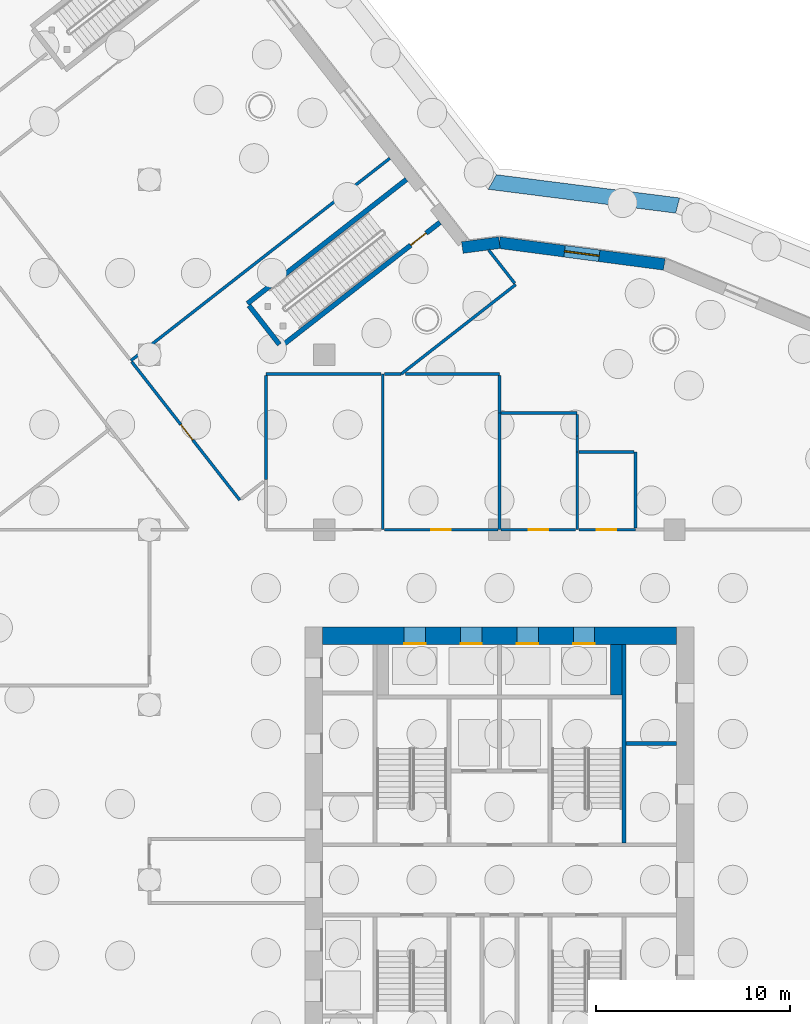
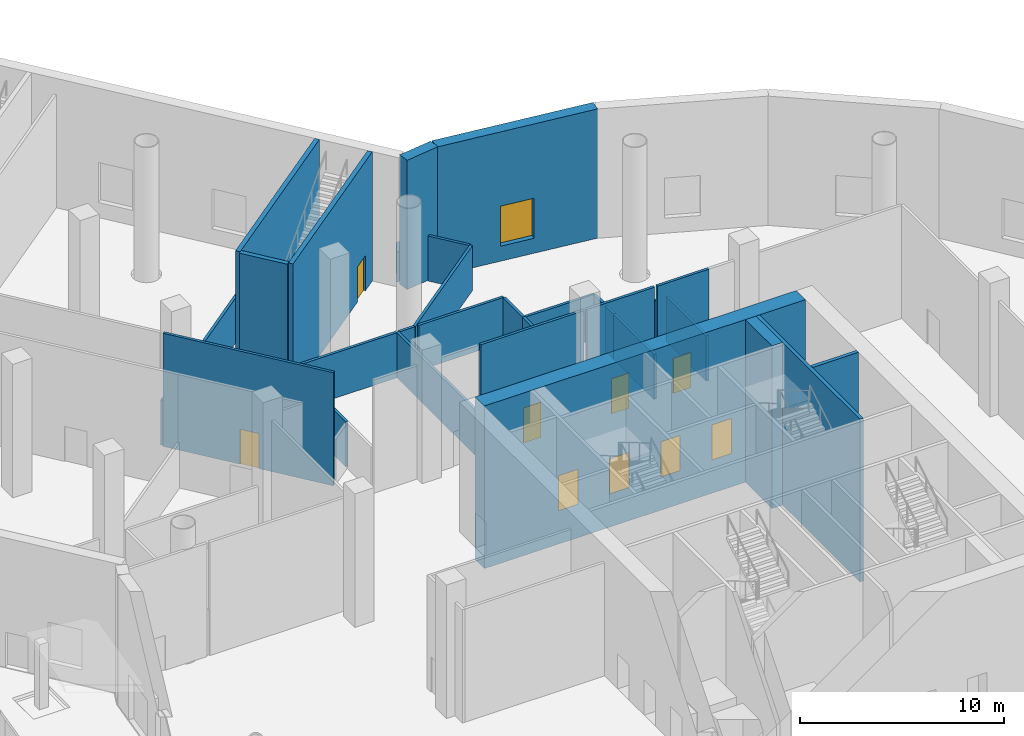
# One storey, part 17 of 34: 30 walls, 9 doors, 1 window, 10 openings.
"""IFC4 building model written with IfcOpenShell, lengths in metres."""

from ifc_helpers import new_model, si_unit, direction, frame, frame_2d, origin, place, context, subcontext, project, spatial, polyline, rectangle, outline, extrude, material, layer, layer_set, type_object, element, fill, save


model = new_model("IFC4")

# Units and contexts
model_context = context("Model", 3, precision=1e-05, world=origin(), true_north=direction((0.0, 1.0)))
body_context = subcontext(model_context, "Body", "Model", "MODEL_VIEW")
ifc_project = project(units=[si_unit("LENGTHUNIT", "METRE"), si_unit("AREAUNIT", "SQUARE_METRE"), si_unit("VOLUMEUNIT", "CUBIC_METRE"), si_unit("PLANEANGLEUNIT", "RADIAN"), si_unit("MASSUNIT", "GRAM", prefix="KILO")], contexts=[model_context])

# Site, building, storey
site_placement = place(None, origin())
site = spatial("IfcSite", under=ifc_project, at=site_placement, CompositionType="ELEMENT")
building_placement = place(site_placement, origin())
building = spatial("IfcBuilding", under=site, at=building_placement, Name="Tarsis Ring Headquarters", CompositionType="ELEMENT")
storey_placement = place(building_placement, origin())
storey = spatial("IfcBuildingStorey", under=building, at=storey_placement, Name="L00", CompositionType="ELEMENT", Elevation=0.0)

# Wall
ifc_material_1 = material(Name="Blockwork", Category="masonry")
ifc_layer_1 = layer(ifc_material_1, 0.199951171875)
ifc_layer_set_1 = layer_set([ifc_layer_1], Name="Core blockwork wall 200")
wall_type_1 = type_object("IfcWallType", Name="Core blockwork wall 200", PredefinedType="PARTITIONING", material=ifc_layer_set_1)
wall_1_placement = place(storey_placement, frame((6.5, 7.0, -2.0), z_axis=(0.0, 0.0, 1.0), x_axis=(1.0, 0.0, 0.0)))
element("IfcWall", 1, at=wall_1_placement, inside=storey, type_object=wall_type_1, Name="Core partition ED6", PredefinedType="PARTITIONING", context=body_context, shape_type="SweptSolid", body=[
    extrude(rectangle(XDim=2.60009765625, YDim=0.199951171875, at=frame_2d((1.300048828125, 0.0))), origin(), (0.0, 0.0, 1.0), 9.75),
])

# Wall, openings, doors
ifc_material_2 = material(Name="Concrete C60/75", Category="concrete")
ifc_layer_2 = layer(ifc_material_2, 0.89990234375)
ifc_layer_set_2 = layer_set([ifc_layer_2], Name="Core wall 900 C60/75")
wall_type_2 = type_object("IfcWallType", Name="Core wall 900 C60/75", PredefinedType="SHEAR", material=ifc_layer_set_2)
wall_2_placement = place(storey_placement, frame((-9.10009765625, 12.550048828125, -2.0), z_axis=(0.0, 0.0, 1.0), x_axis=(1.0, 0.0, 0.0)))
wall_2 = element("IfcWall", 2, at=wall_2_placement, inside=storey, type_object=wall_type_2, Name="Core wall ON", PredefinedType="SHEAR", context=body_context, shape_type="SweptSolid", body=[
    extrude(rectangle(XDim=18.2001953125, YDim=0.89990234375, at=frame_2d((9.10009765625, 0.0))), origin(), (0.0, 0.0, 1.0), 9.75),
])
opening_1_placement = place(wall_2_placement, frame((4.199951171875, 0.0, 2.0)))
opening_1 = element("IfcOpeningElement", 3, at=opening_1_placement, cuts=wall_2, Name="Opening LD-S321", PredefinedType="OPENING", context=body_context, shape_type="SweptSolid", body=[
    extrude(rectangle(XDim=1.10009765625, YDim=2.10009765625, at=frame_2d((0.550048828125, 1.050048828125))), frame((0.0, 0.4599609375, 0.0), z_axis=(0.0, -1.0, 0.0), x_axis=(1.0, 0.0, 0.0)), (0.0, 0.0, 1.0), 0.919921875),
])
opening_2_placement = place(wall_2_placement, frame((7.10009765625, 0.0, 2.0)))
opening_2 = element("IfcOpeningElement", 4, at=opening_2_placement, cuts=wall_2, Name="Opening LD-S322", PredefinedType="OPENING", context=body_context, shape_type="SweptSolid", body=[
    extrude(rectangle(XDim=1.10009765625, YDim=2.10009765625, at=frame_2d((0.550048828125, 1.050048828125))), frame((0.0, 0.4599609375, 0.0), z_axis=(0.0, -1.0, 0.0), x_axis=(1.0, 0.0, 0.0)), (0.0, 0.0, 1.0), 0.919921875),
])
opening_3_placement = place(wall_2_placement, frame((10.0, 0.0, 2.0)))
opening_3 = element("IfcOpeningElement", 5, at=opening_3_placement, cuts=wall_2, Name="Opening LD-S323", PredefinedType="OPENING", context=body_context, shape_type="SweptSolid", body=[
    extrude(rectangle(XDim=1.10009765625, YDim=2.10009765625, at=frame_2d((0.550048828125, 1.050048828125))), frame((0.0, 0.4599609375, 0.0), z_axis=(0.0, -1.0, 0.0), x_axis=(1.0, 0.0, 0.0)), (0.0, 0.0, 1.0), 0.919921875),
])
opening_4_placement = place(wall_2_placement, frame((12.89990234375, 0.0, 2.0)))
opening_4 = element("IfcOpeningElement", 6, at=opening_4_placement, cuts=wall_2, Name="Opening LD-S324", PredefinedType="OPENING", context=body_context, shape_type="SweptSolid", body=[
    extrude(rectangle(XDim=1.10009765625, YDim=2.10009765625, at=frame_2d((0.550048828125, 1.050048828125))), frame((0.0, 0.4599609375, 0.0), z_axis=(0.0, -1.0, 0.0), x_axis=(1.0, 0.0, 0.0)), (0.0, 0.0, 1.0), 0.919921875),
])
ifc_material_3 = material(Name="Steel S355", Category="steel")
door_type_1 = type_object("IfcDoorType", Name="Landing door 1100x2100", OperationType="SLIDING_TO_LEFT", PredefinedType="DOOR", material=ifc_material_3)
door_1_placement = place(opening_1_placement, origin())
door_1 = element("IfcDoor", 7, at=door_1_placement, inside=storey, type_object=door_type_1, Name="Landing door S321 L00", OperationType="SLIDING_TO_LEFT", OverallHeight=2.10009765625, OverallWidth=1.10009765625, PredefinedType="DOOR", context=body_context, shape_type="SweptSolid", body=[
    extrude(rectangle(XDim=1.10009765625, YDim=2.10009765625, at=frame_2d((0.550048828125, 1.050048828125))), frame((0.0, -0.39990234375, 0.0), z_axis=(0.0, -1.0, 0.0), x_axis=(1.0, 0.0, 0.0)), (0.0, 0.0, 1.0), 0.050048828125),
])
fill(opening_1, door_1)
door_2_placement = place(opening_2_placement, origin())
door_2 = element("IfcDoor", 8, at=door_2_placement, inside=storey, type_object=door_type_1, Name="Landing door S322 L00", OperationType="SLIDING_TO_LEFT", OverallHeight=2.10009765625, OverallWidth=1.10009765625, PredefinedType="DOOR", context=body_context, shape_type="SweptSolid", body=[
    extrude(rectangle(XDim=1.10009765625, YDim=2.10009765625, at=frame_2d((0.550048828125, 1.050048828125))), frame((0.0, -0.39990234375, 0.0), z_axis=(0.0, -1.0, 0.0), x_axis=(1.0, 0.0, 0.0)), (0.0, 0.0, 1.0), 0.050048828125),
])
fill(opening_2, door_2)
door_3_placement = place(opening_3_placement, origin())
door_3 = element("IfcDoor", 9, at=door_3_placement, inside=storey, type_object=door_type_1, Name="Landing door S323 L00", OperationType="SLIDING_TO_LEFT", OverallHeight=2.10009765625, OverallWidth=1.10009765625, PredefinedType="DOOR", context=body_context, shape_type="SweptSolid", body=[
    extrude(rectangle(XDim=1.10009765625, YDim=2.10009765625, at=frame_2d((0.550048828125, 1.050048828125))), frame((0.0, -0.39990234375, 0.0), z_axis=(0.0, -1.0, 0.0), x_axis=(1.0, 0.0, 0.0)), (0.0, 0.0, 1.0), 0.050048828125),
])
fill(opening_3, door_3)
door_4_placement = place(opening_4_placement, origin())
door_4 = element("IfcDoor", 10, at=door_4_placement, inside=storey, type_object=door_type_1, Name="Landing door S324 L00", OperationType="SLIDING_TO_LEFT", OverallHeight=2.10009765625, OverallWidth=1.10009765625, PredefinedType="DOOR", context=body_context, shape_type="SweptSolid", body=[
    extrude(rectangle(XDim=1.10009765625, YDim=2.10009765625, at=frame_2d((0.550048828125, 1.050048828125))), frame((0.0, -0.39990234375, 0.0), z_axis=(0.0, -1.0, 0.0), x_axis=(1.0, 0.0, 0.0)), (0.0, 0.0, 1.0), 0.050048828125),
])
fill(opening_4, door_4)

# Walls
ifc_material_4 = material(Name="Concrete C40/50", Category="concrete")
ifc_layer_3 = layer(ifc_material_4, 0.800048828125)
ifc_layer_set_3 = layer_set([ifc_layer_3], Name="FD Plinth wall 800")
wall_type_3 = type_object("IfcWallType", Name="FD Plinth wall 800", PredefinedType="SOLIDWALL", material=ifc_layer_set_3)
wall_3_placement = place(storey_placement, frame((0.0, 0.0, -2.0)))
element("IfcWall", 11, at=wall_3_placement, inside=storey, type_object=wall_type_3, Name="Plinth wall 15", PredefinedType="SOLIDWALL", context=body_context, shape_type="SweptSolid", body=[
    extrude(outline(polyline([(9.265380859375, 35.05712890625), (-0.1513671875, 36.25244140625), (-0.578857421875, 35.500244140625), (9.0595703125, 34.276611328125), (9.265380859375, 35.05712890625)])), origin(), (0.0, 0.0, 1.0), 1.800048828125),
])
ifc_material_5 = material(Name="Plasterboard partition")
ifc_layer_4 = layer(ifc_material_5, 0.14990234375)
ifc_layer_set_4 = layer_set([ifc_layer_4], Name="PO-PW150")
wall_type_4 = type_object("IfcWallType", Name="PO-PW150", PredefinedType="PARTITIONING", material=ifc_layer_set_4)
wall_4_placement = place(storey_placement, frame((-5.6328125, 37.09619140625, 0.0), z_axis=(0.0, 0.0, 1.0), x_axis=(-0.788007728406, -0.615665347386, 0.0)))
element("IfcWall", 12, at=wall_4_placement, inside=storey, type_object=wall_type_4, Name="L00 partition wall 4", PredefinedType="PARTITIONING", context=body_context, shape_type="SweptSolid", body=[
    extrude(rectangle(XDim=16.900146484375, YDim=0.14990234375, at=frame_2d((8.4501953125, 0.0))), origin(), (0.0, 0.0, 1.0), 2.699951171875),
])
wall_5_placement = place(storey_placement, frame((-6.0, 18.0, 0.0), z_axis=(0.0, 0.0, 1.0), x_axis=(0.0, 1.0, 0.0)))
element("IfcWall", 13, at=wall_5_placement, inside=storey, type_object=wall_type_4, Name="L00 partition wall 32", PredefinedType="PARTITIONING", context=body_context, shape_type="SweptSolid", body=[
    extrude(rectangle(XDim=8.0, YDim=0.14990234375, at=frame_2d((4.0, 0.0))), origin(), (0.0, 0.0, 1.0), 2.699951171875),
])
wall_6_placement = place(storey_placement, frame((0.83740234375, 30.602783203125, 0.0), z_axis=(0.0, 0.0, 1.0), x_axis=(-0.788026354001, -0.61564150721, 0.0)))
element("IfcWall", 14, at=wall_6_placement, inside=storey, type_object=wall_type_4, Name="L00 partition wall 42", PredefinedType="PARTITIONING", context=body_context, shape_type="SweptSolid", body=[
    extrude(rectangle(XDim=7.476318359375, YDim=0.14990234375, at=frame_2d((3.73828125, 0.0))), origin(), (0.0, 0.0, 1.0), 2.699951171875),
])
wall_7_placement = place(storey_placement, frame((-6.080078125, 26.0, 0.0), z_axis=(0.0, 0.0, 1.0), x_axis=(-1.0, 0.0, 0.0)))
element("IfcWall", 15, at=wall_7_placement, inside=storey, type_object=wall_type_4, Name="L00 partition wall 55", PredefinedType="PARTITIONING", context=body_context, shape_type="SweptSolid", body=[
    extrude(rectangle(XDim=5.919921875, YDim=0.14990234375, at=frame_2d((2.9599609375, 0.0))), origin(), (0.0, 0.0, 1.0), 2.699951171875),
])
wall_8_placement = place(storey_placement, frame((0.0, 18.0, 0.0), z_axis=(0.0, 0.0, 1.0), x_axis=(0.0, 1.0, 0.0)))
element("IfcWall", 16, at=wall_8_placement, inside=storey, type_object=wall_type_4, Name="L00 partition wall 57", PredefinedType="PARTITIONING", context=body_context, shape_type="SweptSolid", body=[
    extrude(rectangle(XDim=6.0, YDim=0.14990234375, at=frame_2d((3.0, 0.0))), origin(), (0.0, 0.0, 1.0), 2.699951171875),
])
wall_9_placement = place(storey_placement, frame((-12.0, 25.919921875, 0.0), z_axis=(0.0, 0.0, 1.0), x_axis=(0.0, -1.0, 0.0)))
element("IfcWall", 17, at=wall_9_placement, inside=storey, type_object=wall_type_4, Name="L00 partition wall 63", PredefinedType="PARTITIONING", context=body_context, shape_type="SweptSolid", body=[
    extrude(rectangle(XDim=5.346435546875, YDim=0.14990234375, at=frame_2d((2.67333984375, 0.0))), origin(), (0.0, 0.0, 1.0), 2.699951171875),
])
wall_10_placement = place(storey_placement, frame((-0.001953125, 26.0, 0.0), z_axis=(0.0, 0.0, 1.0), x_axis=(-1.0, 0.0, 0.0)))
element("IfcWall", 18, at=wall_10_placement, inside=storey, type_object=wall_type_4, Name="L00 partition wall 66", PredefinedType="PARTITIONING", context=body_context, shape_type="SweptSolid", body=[
    extrude(rectangle(XDim=4.832275390625, YDim=0.14990234375, at=frame_2d((2.416015625, 0.0))), origin(), (0.0, 0.0, 1.0), 2.699951171875),
])
wall_11_placement = place(storey_placement, frame((4.0, 18.0, 0.0), z_axis=(0.0, 0.0, 1.0), x_axis=(0.0, 1.0, 0.0)))
element("IfcWall", 19, at=wall_11_placement, inside=storey, type_object=wall_type_4, Name="L00 partition wall 71", PredefinedType="PARTITIONING", context=body_context, shape_type="SweptSolid", body=[
    extrude(rectangle(XDim=4.0, YDim=0.14990234375, at=frame_2d((2.0, 0.0))), origin(), (0.0, 0.0, 1.0), 2.699951171875),
])
wall_12_placement = place(storey_placement, frame((7.0, 18.080078125, 0.0), z_axis=(0.0, 0.0, 1.0), x_axis=(0.0, 1.0, 0.0)))
element("IfcWall", 20, at=wall_12_placement, inside=storey, type_object=wall_type_4, Name="L00 partition wall 72", PredefinedType="PARTITIONING", context=body_context, shape_type="SweptSolid", body=[
    extrude(rectangle(XDim=3.919921875, YDim=0.14990234375, at=frame_2d((1.9599609375, 0.0))), origin(), (0.0, 0.0, 1.0), 2.699951171875),
])
wall_13_placement = place(storey_placement, frame((0.080078125, 24.0, 0.0), z_axis=(0.0, 0.0, 1.0), x_axis=(1.0, 0.0, 0.0)))
element("IfcWall", 21, at=wall_13_placement, inside=storey, type_object=wall_type_4, Name="L00 partition wall 73", PredefinedType="PARTITIONING", context=body_context, shape_type="SweptSolid", body=[
    extrude(rectangle(XDim=3.91796875, YDim=0.14990234375, at=frame_2d((1.958984375, 0.0))), origin(), (0.0, 0.0, 1.0), 2.699951171875),
])
wall_14_placement = place(storey_placement, frame((6.919921875, 22.0, 0.0), z_axis=(0.0, 0.0, 1.0), x_axis=(-1.0, 0.0, 0.0)))
element("IfcWall", 22, at=wall_14_placement, inside=storey, type_object=wall_type_4, Name="L00 partition wall 78", PredefinedType="PARTITIONING", context=body_context, shape_type="SweptSolid", body=[
    extrude(rectangle(XDim=2.83984375, YDim=0.14990234375, at=frame_2d((1.419921875, 0.0))), origin(), (0.0, 0.0, 1.0), 2.699951171875),
])
wall_15_placement = place(storey_placement, frame((0.787353515625, 30.66552734375, 0.0), z_axis=(0.0, 0.0, 1.0), x_axis=(-0.615661438752, 0.788010782181, 0.0)))
element("IfcWall", 23, at=wall_15_placement, inside=storey, type_object=wall_type_4, Name="L00 partition wall 87", PredefinedType="PARTITIONING", context=body_context, shape_type="SweptSolid", body=[
    extrude(rectangle(XDim=2.1787109375, YDim=0.14990234375, at=frame_2d((1.08935546875, 0.0))), origin(), (0.0, 0.0, 1.0), 2.699951171875),
])
wall_16_placement = place(storey_placement, frame((0.0, 24.0, 0.0), z_axis=(0.0, 0.0, 1.0), x_axis=(0.0, 1.0, 0.0)))
element("IfcWall", 24, at=wall_16_placement, inside=storey, type_object=wall_type_4, Name="L00 partition wall 89", PredefinedType="PARTITIONING", context=body_context, shape_type="SweptSolid", body=[
    extrude(rectangle(XDim=1.91796875, YDim=0.14990234375, at=frame_2d((0.958984375, 0.0))), origin(), (0.0, 0.0, 1.0), 2.699951171875),
])
wall_17_placement = place(storey_placement, frame((4.0, 22.80615234375, 0.0), z_axis=(0.0, 0.0, 1.0), x_axis=(0.0, 1.0, 0.0)))
element("IfcWall", 25, at=wall_17_placement, inside=storey, type_object=wall_type_4, Name="L00 partition wall 96", PredefinedType="PARTITIONING", context=body_context, shape_type="SweptSolid", body=[
    extrude(rectangle(XDim=1.11181640625, YDim=0.14990234375, at=frame_2d((0.555908203125, 0.0))), origin(), (0.0, 0.0, 1.0), 2.699951171875),
])
wall_18_placement = place(storey_placement, frame((-5.05419921875, 26.0, 0.0), z_axis=(0.0, 0.0, 1.0), x_axis=(-1.0, 0.0, 0.0)))
element("IfcWall", 26, at=wall_18_placement, inside=storey, type_object=wall_type_4, Name="L00 partition wall 98", PredefinedType="PARTITIONING", context=body_context, shape_type="SweptSolid", body=[
    extrude(rectangle(XDim=0.86572265625, YDim=0.14990234375, at=frame_2d((0.432861328125, 0.0))), origin(), (0.0, 0.0, 1.0), 2.699951171875),
])
wall_19_placement = place(storey_placement, frame((4.0, 22.0, 0.0), z_axis=(0.0, 0.0, 1.0), x_axis=(0.0, 1.0, 0.0)))
element("IfcWall", 27, at=wall_19_placement, inside=storey, type_object=wall_type_4, Name="L00 partition wall 100", PredefinedType="PARTITIONING", context=body_context, shape_type="SweptSolid", body=[
    extrude(rectangle(XDim=0.80615234375, YDim=0.14990234375, at=frame_2d((0.403076171875, 0.0))), origin(), (0.0, 0.0, 1.0), 2.699951171875),
])

# Wall, opening, door
ifc_layer_5 = layer(ifc_material_5, 0.14990234375)
ifc_layer_set_5 = layer_set([ifc_layer_5], Name="PO-PW150R-6783")
wall_type_5 = type_object("IfcWallType", Name="PO-PW150R-6783", PredefinedType="PARTITIONING", material=ifc_layer_set_5)
wall_20_placement = place(storey_placement, frame((-18.90087890625, 26.62841796875, 0.0), z_axis=(0.0, 0.0, 1.0), x_axis=(0.615655597301, -0.788015345987, 0.0)))
wall_20 = element("IfcWall", 28, at=wall_20_placement, inside=storey, type_object=wall_type_5, Name="L00 partition wall 28", PredefinedType="PARTITIONING", context=body_context, shape_type="SweptSolid", body=[
    extrude(rectangle(XDim=9.02001953125, YDim=0.14990234375, at=frame_2d((4.510009765625, 0.0))), origin(), (0.0, 0.0, 1.0), 6.782958984375),
])
opening_5_placement = place(wall_20_placement, frame((4.090087890625, 0.0, 0.0)))
opening_5 = element("IfcOpeningElement", 29, at=opening_5_placement, cuts=wall_20, Name="Opening PO-D1", PredefinedType="OPENING", context=body_context, shape_type="SweptSolid", body=[
    extrude(rectangle(XDim=1.0, YDim=2.10009765625, at=frame_2d((0.5, 1.050048828125))), frame((0.0, 0.0849609375, 0.0), z_axis=(0.0, -1.0, 0.0), x_axis=(1.0, 0.0, 0.0)), (0.0, 0.0, 1.0), 0.169921875),
])
ifc_material_6 = material(Name="Timber door", Category="wood")
door_type_2 = type_object("IfcDoorType", Name="PO-D1000", OperationType="NOTDEFINED", PredefinedType="DOOR", material=ifc_material_6)
door_5_placement = place(opening_5_placement, origin())
door_5 = element("IfcDoor", 30, at=door_5_placement, inside=storey, type_object=door_type_2, Name="Education room door", OperationType="SINGLE_SWING_LEFT", OverallHeight=2.10009765625, OverallWidth=1.0, PredefinedType="DOOR", context=body_context, shape_type="SweptSolid", body=[
    extrude(rectangle(XDim=1.0, YDim=2.10009765625, at=frame_2d((0.5, 1.050048828125))), frame((0.0, 0.02490234375, 0.0), z_axis=(0.0, -1.0, 0.0), x_axis=(1.0, 0.0, 0.0)), (0.0, 0.0, 1.0), 0.050048828125),
])
fill(opening_5, door_5)

wall_21_placement = place(storey_placement, frame((-5.919921875, 18.0, 0.0), z_axis=(0.0, 0.0, 1.0), x_axis=(1.0, 0.0, 0.0)))
wall_21 = element("IfcWall", 31, at=wall_21_placement, inside=storey, type_object=wall_type_5, Name="L00 partition wall 56", PredefinedType="PARTITIONING", context=body_context, shape_type="SweptSolid", body=[
    extrude(rectangle(XDim=5.83984375, YDim=0.14990234375, at=frame_2d((2.919921875, 0.0))), origin(), (0.0, 0.0, 1.0), 6.782958984375),
])
opening_6_placement = place(wall_21_placement, frame((2.419921875, 0.0, 0.0)))
opening_6 = element("IfcOpeningElement", 32, at=opening_6_placement, cuts=wall_21, Name="Opening PO-D1", PredefinedType="OPENING", context=body_context, shape_type="SweptSolid", body=[
    extrude(rectangle(XDim=1.0, YDim=2.10009765625, at=frame_2d((0.5, 1.050048828125))), frame((0.0, 0.0849609375, 0.0), z_axis=(0.0, -1.0, 0.0), x_axis=(1.0, 0.0, 0.0)), (0.0, 0.0, 1.0), 0.169921875),
])
door_6_placement = place(opening_6_placement, origin())
door_6 = element("IfcDoor", 33, at=door_6_placement, inside=storey, type_object=door_type_2, Name="Female WC door", OperationType="SINGLE_SWING_LEFT", OverallHeight=2.10009765625, OverallWidth=1.0, PredefinedType="DOOR", context=body_context, shape_type="SweptSolid", body=[
    extrude(rectangle(XDim=1.0, YDim=2.10009765625, at=frame_2d((0.5, 1.050048828125))), frame((0.0, 0.02490234375, 0.0), z_axis=(0.0, -1.0, 0.0), x_axis=(1.0, 0.0, 0.0)), (0.0, 0.0, 1.0), 0.050048828125),
])
fill(opening_6, door_6)

wall_22_placement = place(storey_placement, frame((0.080078125, 18.0, 0.0), z_axis=(0.0, 0.0, 1.0), x_axis=(1.0, 0.0, 0.0)))
wall_22 = element("IfcWall", 34, at=wall_22_placement, inside=storey, type_object=wall_type_5, Name="L00 partition wall 70", PredefinedType="PARTITIONING", context=body_context, shape_type="SweptSolid", body=[
    extrude(rectangle(XDim=3.83984375, YDim=0.14990234375, at=frame_2d((1.919921875, 0.0))), origin(), (0.0, 0.0, 1.0), 6.782958984375),
])
opening_7_placement = place(wall_22_placement, frame((1.419921875, 0.0, 0.0)))
opening_7 = element("IfcOpeningElement", 35, at=opening_7_placement, cuts=wall_22, Name="Opening PO-D1", PredefinedType="OPENING", context=body_context, shape_type="SweptSolid", body=[
    extrude(rectangle(XDim=1.0, YDim=2.10009765625, at=frame_2d((0.5, 1.050048828125))), frame((0.0, 0.0849609375, 0.0), z_axis=(0.0, -1.0, 0.0), x_axis=(1.0, 0.0, 0.0)), (0.0, 0.0, 1.0), 0.169921875),
])
door_7_placement = place(opening_7_placement, origin())
door_7 = element("IfcDoor", 36, at=door_7_placement, inside=storey, type_object=door_type_2, Name="Accessible WC door", OperationType="SINGLE_SWING_RIGHT", OverallHeight=2.10009765625, OverallWidth=1.0, PredefinedType="DOOR", context=body_context, shape_type="SweptSolid", body=[
    extrude(rectangle(XDim=1.0, YDim=2.10009765625, at=frame_2d((0.5, 1.050048828125))), frame((0.0, 0.02490234375, 0.0), z_axis=(0.0, -1.0, 0.0), x_axis=(1.0, 0.0, 0.0)), (0.0, 0.0, 1.0), 0.050048828125),
])
fill(opening_7, door_7)

wall_23_placement = place(storey_placement, frame((4.080078125, 18.0, 0.0), z_axis=(0.0, 0.0, 1.0), x_axis=(1.0, 0.0, 0.0)))
wall_23 = element("IfcWall", 37, at=wall_23_placement, inside=storey, type_object=wall_type_5, Name="L00 partition wall 77", PredefinedType="PARTITIONING", context=body_context, shape_type="SweptSolid", body=[
    extrude(rectangle(XDim=2.919921875, YDim=0.14990234375, at=frame_2d((1.4599609375, 0.0))), origin(), (0.0, 0.0, 1.0), 6.782958984375),
])
opening_8_placement = place(wall_23_placement, frame((0.919921875, 0.0, 0.0)))
opening_8 = element("IfcOpeningElement", 38, at=opening_8_placement, cuts=wall_23, Name="Opening PO-D1", PredefinedType="OPENING", context=body_context, shape_type="SweptSolid", body=[
    extrude(rectangle(XDim=1.0, YDim=2.10009765625, at=frame_2d((0.5, 1.050048828125))), frame((0.0, 0.0849609375, 0.0), z_axis=(0.0, -1.0, 0.0), x_axis=(1.0, 0.0, 0.0)), (0.0, 0.0, 1.0), 0.169921875),
])
door_8_placement = place(opening_8_placement, origin())
door_8 = element("IfcDoor", 39, at=door_8_placement, inside=storey, type_object=door_type_2, Name="Cleaners' store door", OperationType="SINGLE_SWING_LEFT", OverallHeight=2.10009765625, OverallWidth=1.0, PredefinedType="DOOR", context=body_context, shape_type="SweptSolid", body=[
    extrude(rectangle(XDim=1.0, YDim=2.10009765625, at=frame_2d((0.5, 1.050048828125))), frame((0.0, 0.02490234375, 0.0), z_axis=(0.0, -1.0, 0.0), x_axis=(1.0, 0.0, 0.0)), (0.0, 0.0, 1.0), 0.050048828125),
])
fill(opening_8, door_8)

ifc_layer_6 = layer(ifc_material_4, 0.25)
ifc_layer_set_6 = layer_set([ifc_layer_6], Name="PO-W250")
wall_type_6 = type_object("IfcWallType", Name="PO-W250", PredefinedType="SOLIDWALL", material=ifc_layer_set_6)
wall_24_placement = place(storey_placement, frame((-3.0576171875, 33.80029296875, 0.0), z_axis=(0.0, 0.0, 1.0), x_axis=(-0.788273447376, -0.615325094696, 0.0)))
wall_24 = element("IfcWall", 40, at=wall_24_placement, inside=storey, type_object=wall_type_6, Name="L00 shaft wall 17", PredefinedType="SOLIDWALL", context=body_context, shape_type="SweptSolid", body=[
    extrude(rectangle(XDim=10.369873046875, YDim=0.25, at=frame_2d((5.18505859375, 0.0))), origin(), (0.0, 0.0, 1.0), 7.75),
])
opening_9_placement = place(wall_24_placement, frame((0.90478515625, 0.0, 0.0)))
opening_9 = element("IfcOpeningElement", 41, at=opening_9_placement, cuts=wall_24, Name="Opening PO-D3", PredefinedType="OPENING", context=body_context, shape_type="SweptSolid", body=[
    extrude(rectangle(XDim=1.0, YDim=2.10009765625, at=frame_2d((0.5, 1.050048828125))), frame((0.0, 0.135009765625, 0.0), z_axis=(0.0, -1.0, 0.0), x_axis=(1.0, 0.0, 0.0)), (0.0, 0.0, 1.0), 0.27001953125),
])
ifc_material_7 = material(Name="Steel fire door", Category="steel")
door_type_3 = type_object("IfcDoorType", Name="PO-D1000F", OperationType="SINGLE_SWING_LEFT", PredefinedType="DOOR", material=ifc_material_7)
door_9_placement = place(opening_9_placement, origin())
door_9 = element("IfcDoor", 42, at=door_9_placement, inside=storey, type_object=door_type_3, Name="Exit stair 3 door", OperationType="SINGLE_SWING_LEFT", OverallHeight=2.10009765625, OverallWidth=1.0, PredefinedType="DOOR", context=body_context, shape_type="SweptSolid", body=[
    extrude(rectangle(XDim=1.0, YDim=2.10009765625, at=frame_2d((0.5, 1.050048828125))), frame((0.0, 0.02490234375, 0.0), z_axis=(0.0, -1.0, 0.0), x_axis=(1.0, 0.0, 0.0)), (0.0, 0.0, 1.0), 0.050048828125),
])
fill(opening_9, door_9)

# Walls
wall_25_placement = place(storey_placement, frame((-12.954833984375, 29.626708984375, 0.0), z_axis=(0.0, 0.0, 1.0), x_axis=(0.788283470415, 0.615312254283, 0.0)))
element("IfcWall", 43, at=wall_25_placement, inside=storey, type_object=wall_type_6, Name="L00 shaft wall 18", PredefinedType="SOLIDWALL", context=body_context, shape_type="SweptSolid", body=[
    extrude(rectangle(XDim=10.368408203125, YDim=0.25, at=frame_2d((5.18408203125, 0.0))), origin(), (0.0, 0.0, 1.0), 7.75),
])
wall_26_placement = place(storey_placement, frame((-11.31201171875, 27.52197265625, 0.0), z_axis=(0.0, 0.0, 1.0), x_axis=(-0.615343695919, 0.788258926935, 0.0)))
element("IfcWall", 44, at=wall_26_placement, inside=storey, type_object=wall_type_6, Name="L00 shaft wall 82", PredefinedType="SOLIDWALL", context=body_context, shape_type="SweptSolid", body=[
    extrude(rectangle(XDim=2.5400390625, YDim=0.25, at=frame_2d((1.27001953125, 0.0))), origin(), (0.0, 0.0, 1.0), 7.75),
])

# Wall, opening, window
ifc_layer_7 = layer(ifc_material_2, 0.60009765625)
ifc_layer_set_7 = layer_set([ifc_layer_7], Name="PO-W600")
wall_type_7 = type_object("IfcWallType", Name="PO-W600", PredefinedType="SOLIDWALL", material=ifc_layer_set_7)
wall_27_placement = place(storey_placement, frame((8.478271484375, 31.6416015625, 0.0), z_axis=(0.0, 0.0, 1.0), x_axis=(-0.991444478179, 0.130529102837, 0.0)))
wall_27 = element("IfcWall", 45, at=wall_27_placement, inside=storey, type_object=wall_type_7, Name="L00 external wall 21", PredefinedType="SOLIDWALL", context=body_context, shape_type="SweptSolid", body=[
    extrude(rectangle(XDim=8.551513671875, YDim=0.60009765625, at=frame_2d((4.27587890625, 0.0))), origin(), (0.0, 0.0, 1.0), 7.75),
])
opening_10_placement = place(wall_27_placement, frame((3.375732421875, 0.0, 0.89990234375)))
opening_10 = element("IfcOpeningElement", 46, at=opening_10_placement, cuts=wall_27, Name="Opening PO-WN1", PredefinedType="OPENING", context=body_context, shape_type="SweptSolid", body=[
    extrude(rectangle(XDim=1.800048828125, YDim=2.39990234375, at=frame_2d((0.89990234375, 1.199951171875))), frame((0.0, 0.31005859375, 0.0), z_axis=(0.0, -1.0, 0.0), x_axis=(1.0, 0.0, 0.0)), (0.0, 0.0, 1.0), 0.6201171875),
])
ifc_material_8 = material(Name="Double glazing", Category="glass")
window_type = type_object("IfcWindowType", Name="PO-WN1800", PartitioningType="SINGLE_PANEL", PredefinedType="WINDOW", material=ifc_material_8)
window_placement = place(opening_10_placement, origin())
window = element("IfcWindow", 47, at=window_placement, inside=storey, type_object=window_type, Name="L00 window 21.1", OverallHeight=2.39990234375, OverallWidth=1.800048828125, PartitioningType="SINGLE_PANEL", PredefinedType="WINDOW", context=body_context, shape_type="SweptSolid", body=[
    extrude(rectangle(XDim=1.800048828125, YDim=2.39990234375, at=frame_2d((0.89990234375, 1.199951171875))), frame((0.0, 0.030029296875, 0.0), z_axis=(0.0, -1.0, 0.0), x_axis=(1.0, 0.0, 0.0)), (0.0, 0.0, 1.0), 0.06005859375),
])
fill(opening_10, window)

# Walls
wall_28_placement = place(storey_placement, frame((0.0, 32.7578125, 0.0), z_axis=(0.0, 0.0, 1.0), x_axis=(-0.991450406844, -0.130484063274, 0.0)))
element("IfcWall", 48, at=wall_28_placement, inside=storey, type_object=wall_type_7, Name="L00 external wall 22", PredefinedType="SOLIDWALL", context=body_context, shape_type="SweptSolid", body=[
    extrude(rectangle(XDim=1.92333984375, YDim=0.60009765625, at=frame_2d((0.961669921875, 0.0))), origin(), (0.0, 0.0, 1.0), 7.75),
])
ifc_material_9 = material(Name="Concrete C32/40", Category="concrete")
ifc_layer_8 = layer(ifc_material_9, 0.60009765625)
ifc_layer_set_8 = layer_set([ifc_layer_8], Name="Shaft end wall 600 C32/40")
wall_type_8 = type_object("IfcWallType", Name="Shaft end wall 600 C32/40", PredefinedType="SOLIDWALL", material=ifc_layer_set_8)
wall_29_placement = place(storey_placement, frame((6.0, 9.5, -2.0), z_axis=(0.0, 0.0, 1.0), x_axis=(0.0, 1.0, 0.0)))
element("IfcWall", 49, at=wall_29_placement, inside=storey, type_object=wall_type_8, Name="Core shaft wall NNE2", PredefinedType="SOLIDWALL", context=body_context, shape_type="SweptSolid", body=[
    extrude(rectangle(XDim=2.60009765625, YDim=0.60009765625, at=frame_2d((1.300048828125, 0.0))), origin(), (0.0, 0.0, 1.0), 9.75),
])
ifc_layer_9 = layer(ifc_material_9, 0.199951171875)
ifc_layer_set_9 = layer_set([ifc_layer_9], Name="Shaft wall 200 C32/40")
wall_type_9 = type_object("IfcWallType", Name="Shaft wall 200 C32/40", PredefinedType="SOLIDWALL", material=ifc_layer_set_9)
wall_30_placement = place(storey_placement, frame((6.39990234375, 1.89990234375, -2.0), z_axis=(0.0, 0.0, 1.0), x_axis=(0.0, 1.0, 0.0)))
element("IfcWall", 50, at=wall_30_placement, inside=storey, type_object=wall_type_9, Name="Core shaft wall EB2", PredefinedType="SOLIDWALL", context=body_context, shape_type="SweptSolid", body=[
    extrude(rectangle(XDim=10.2001953125, YDim=0.199951171875, at=frame_2d((5.10009765625, 0.0))), origin(), (0.0, 0.0, 1.0), 9.75),
])

save(model, "model.ifc")
